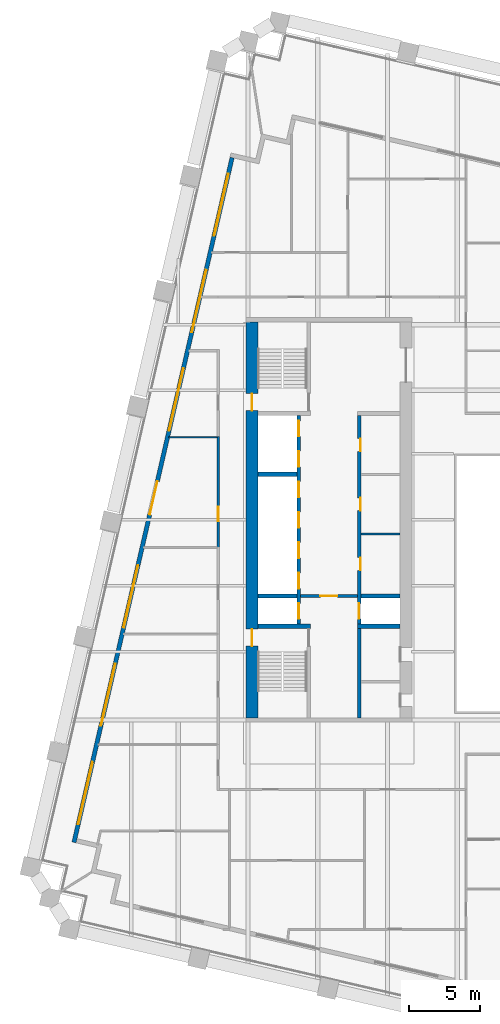
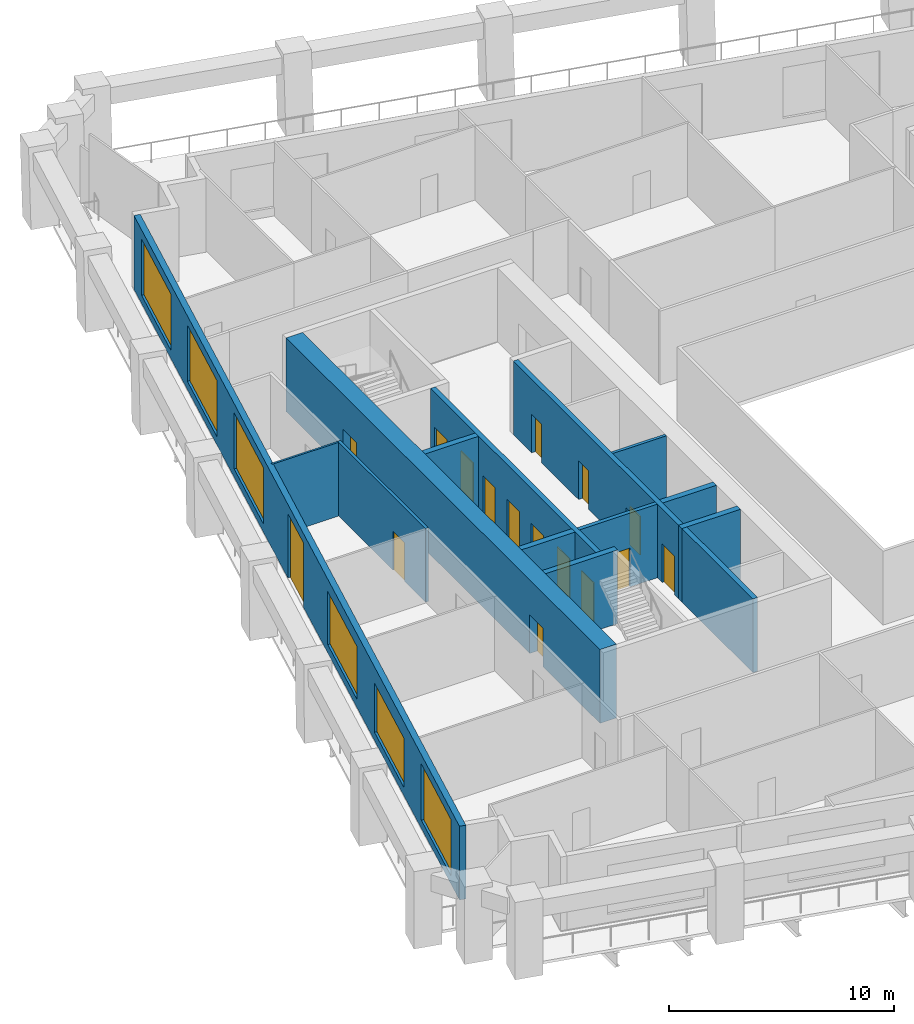
# One storey, part 6 of 12: 16 doors, 13 walls, 6 windows, 22 openings.
"""IFC4 building model written with IfcOpenShell, lengths in metres."""

import ifcopenshell
import ifcopenshell.guid

model = None  # the IFC model being written
_history = None  # IfcOwnerHistory: only IFC2X3 demands one
_inside = {}  # id of a spatial element -> (the spatial element, [elements in it])
_under = {}  # id of a project, library or spatial element -> (it, [spatial elements below it])
_declared = {}  # id of a project -> (the project, [libraries it declares])
_typed = {}  # id of a type object -> (the type object, [elements of that type])
_made_of = {}  # id of a material, layer set ... -> (it, [elements and type objects made of it])


def new_model(schema):
    """Start an empty IFC model of exactly this schema.

    Asked for "IFC4X3", IfcOpenShell would pick the latest addendum, in which some entities
    have other attributes; the version numbers below select the first issue.
    IFC2X3 requires an IfcOwnerHistory on every rooted entity: one is made here for all.
    """
    global model, _history
    if schema == "IFC4X3":
        model = ifcopenshell.file(schema_version=(4, 3, 0, 0))
    else:
        model = ifcopenshell.file(schema=schema)
    _inside.clear()
    _under.clear()
    _declared.clear()
    _typed.clear()
    _made_of.clear()
    _history = None
    if model.schema == "IFC2X3":
        org = make("IfcOrganization", Name="unknown")
        user = make(
            "IfcPersonAndOrganization",
            ThePerson=make("IfcPerson", FamilyName="unknown"),
            TheOrganization=org,
        )
        app = make(
            "IfcApplication",
            ApplicationDeveloper=org,
            Version="unknown",
            ApplicationFullName="unknown",
            ApplicationIdentifier="unknown",
        )
        _history = make(
            "IfcOwnerHistory",
            OwningUser=user,
            OwningApplication=app,
            ChangeAction="ADDED",
            CreationDate=0,
        )
    return model


def make(cls, **values):
    """One entity of the class cls with the attributes given. An attribute that is None is left unset."""
    return model.create_entity(
        cls, **{name: value for name, value in values.items() if value is not None}
    )


def rooted(cls, **values):
    """An entity with a GlobalId (a new one), such as an element, a storey or a relation."""
    return make(cls, GlobalId=ifcopenshell.guid.new(), OwnerHistory=_history, **values)


def si_unit(unit_type, name, prefix=None):
    """IfcSIUnit, for example si_unit("LENGTHUNIT", "METRE", prefix="MILLI")."""
    return make("IfcSIUnit", UnitType=unit_type, Prefix=prefix, Name=name)


def assignment(units):
    """IfcUnitAssignment: the units of a project."""
    return None if units is None else make("IfcUnitAssignment", Units=units)


def point(xyz):
    """IfcCartesianPoint."""
    return None if xyz is None else make("IfcCartesianPoint", Coordinates=xyz)


def direction(xyz):
    """IfcDirection."""
    return None if xyz is None else make("IfcDirection", DirectionRatios=xyz)


def frame(location, z_axis=None, x_axis=None):
    """IfcAxis2Placement3D, a coordinate frame: its origin and axes. An axis left out is left unset."""
    return make(
        "IfcAxis2Placement3D",
        Location=point(location),
        Axis=direction(z_axis),
        RefDirection=direction(x_axis),
    )


def frame_2d(location, x_axis=None):
    """IfcAxis2Placement2D, a coordinate frame in the plane: its origin and x axis."""
    return make(
        "IfcAxis2Placement2D", Location=point(location), RefDirection=direction(x_axis)
    )


def origin():
    """The frame at (0, 0, 0) with its axes left unset."""
    return frame((0.0, 0.0, 0.0))


def place(relative_to, where):
    """IfcLocalPlacement: puts the frame where relative to a parent placement (None: the world)."""
    return make(
        "IfcLocalPlacement", PlacementRelTo=relative_to, RelativePlacement=where
    )


def context(
    kind, dimensions, precision=None, world=None, true_north=None, identifier=None
):
    """IfcGeometricRepresentationContext, for example the 3D "Model" context."""
    return make(
        "IfcGeometricRepresentationContext",
        ContextIdentifier=identifier,
        ContextType=kind,
        CoordinateSpaceDimension=dimensions,
        Precision=precision,
        WorldCoordinateSystem=world,
        TrueNorth=true_north,
    )


def subcontext(parent, identifier, kind, view, scale=None):
    """IfcGeometricRepresentationSubContext, for example "Body" below "Model"."""
    return make(
        "IfcGeometricRepresentationSubContext",
        ContextIdentifier=identifier,
        ContextType=kind,
        ParentContext=parent,
        TargetScale=scale,
        TargetView=view,
    )


def project(units=None, contexts=None):
    """IfcProject with its units and contexts."""
    return rooted(
        "IfcProject",
        Name="project",
        RepresentationContexts=contexts,
        UnitsInContext=assignment(units),
    )


def spatial(cls, under=None, at=None, **own):
    """A site, building, storey or space (cls), placed at a placement, below another one or the project."""
    s = rooted(cls, ObjectPlacement=at, **own)
    if under is not None:
        _under.setdefault(under.id(), (under, []))[1].append(s)
    return s


def profile(cls, at=None, kind="AREA", **sizes):
    """A parametric profile (cls). Its sizes go by their IFC names, for example OverallWidth=200.0."""
    return make(cls, ProfileType=kind, Position=at, **sizes)


def rectangle(**sizes):
    """IfcRectangleProfileDef."""
    return profile("IfcRectangleProfileDef", **sizes)


def extrude(swept, where, along, depth):
    """IfcExtrudedAreaSolid: the profile swept, set in the frame where, extruded along a direction by depth."""
    return make(
        "IfcExtrudedAreaSolid",
        SweptArea=swept,
        Position=where,
        ExtrudedDirection=direction(along),
        Depth=depth,
    )


def shape(context_of_items, identifier, shape_type, items):
    """IfcShapeRepresentation: the items that make up one representation, for example the "Body"."""
    return make(
        "IfcShapeRepresentation",
        ContextOfItems=context_of_items,
        RepresentationIdentifier=identifier,
        RepresentationType=shape_type,
        Items=items,
    )


def material(Name=None, Category=None):
    """IfcMaterial."""
    return make("IfcMaterial", Name=Name, Category=Category)


def layer(
    of_material, thickness, ventilated=None, Name=None, Category=None, Priority=None
):
    """IfcMaterialLayer: one layer of a wall or slab, of a material (None: an air gap)."""
    return make(
        "IfcMaterialLayer",
        Material=of_material,
        LayerThickness=thickness,
        IsVentilated=ventilated,
        Name=Name,
        Category=Category,
        Priority=Priority,
    )


def layer_set(layers, Name=None):
    """IfcMaterialLayerSet."""
    return make("IfcMaterialLayerSet", MaterialLayers=layers, LayerSetName=Name)


def made_of(thing, what):
    """Note that an element or type object is made of a material, layer set ...; save() writes the relation."""
    if what is not None:
        _made_of.setdefault(what.id(), (what, []))[1].append(thing)
    return thing


def type_object(cls, material=None, **own):
    """A type object (cls), such as IfcWallType, which elements share."""
    return made_of(rooted(cls, **own), material)


def element(
    cls,
    number,
    at=None,
    inside=None,
    cuts=None,
    type_object=None,
    material=None,
    context=None,
    identifier="Body",
    shape_type=None,
    held_by="IfcProductDefinitionShape",
    body=None,
    shapes=None,
    **own,
):
    """One element of the class cls, such as IfcWall. Its Tag is "e" and its number.

    at: its placement. inside: the storey or other place that contains it. cuts: it is an
    opening in that element (IfcRelVoidsElement). A single representation is given by context,
    identifier, shape_type and body (its items); several are given by shapes. held_by: the class
    of the entity that holds the representations. save() writes the other relations.
    """
    e = rooted(cls, Tag="e%d" % number, ObjectPlacement=at, **own)
    if body is not None:
        shapes = [shape(context, identifier, shape_type, body)]
    if shapes is not None:
        e.Representation = make(held_by, Representations=shapes)
    if inside is not None:
        _inside.setdefault(inside.id(), (inside, []))[1].append(e)
    if cuts is not None:
        rooted(
            "IfcRelVoidsElement", RelatingBuildingElement=cuts, RelatedOpeningElement=e
        )
    if type_object is not None:
        _typed.setdefault(type_object.id(), (type_object, []))[1].append(e)
    return made_of(e, material)


def fill(opening, filler):
    """IfcRelFillsElement: the door or window that sits in an opening."""
    return rooted(
        "IfcRelFillsElement",
        RelatingOpeningElement=opening,
        RelatedBuildingElement=filler,
    )


def aggregate(whole, parts):
    """IfcRelAggregates: a whole, such as a stair, and the parts it consists of."""
    return rooted("IfcRelAggregates", RelatingObject=whole, RelatedObjects=parts)


def save(model, path):
    """Write the relations noted so far, then the file.

    IfcRelAggregates (storeys below a building ...), IfcRelContainedInSpatialStructure (elements
    in a storey), IfcRelDefinesByType, IfcRelAssociatesMaterial and IfcRelDeclares: one each for
    every whole, place, type object, material and project.
    """
    for whole, parts in _under.values():
        aggregate(whole, parts)
    for where, things in _inside.values():
        rooted(
            "IfcRelContainedInSpatialStructure",
            RelatedElements=things,
            RelatingStructure=where,
        )
    for kind, things in _typed.values():
        rooted("IfcRelDefinesByType", RelatedObjects=things, RelatingType=kind)
    for what, things in _made_of.values():
        rooted("IfcRelAssociatesMaterial", RelatedObjects=things, RelatingMaterial=what)
    for by, libraries in _declared.values():
        rooted("IfcRelDeclares", RelatingContext=by, RelatedDefinitions=libraries)
    model.write(path)


model = new_model("IFC4")

# Units and contexts
model_context = context("Model", 3, precision=1e-05, world=origin(), true_north=direction((0.0, 1.0)))
body_context = subcontext(model_context, "Body", "Model", "MODEL_VIEW")
ifc_project = project(units=[si_unit("LENGTHUNIT", "METRE"), si_unit("AREAUNIT", "SQUARE_METRE"), si_unit("VOLUMEUNIT", "CUBIC_METRE"), si_unit("PLANEANGLEUNIT", "RADIAN"), si_unit("MASSUNIT", "GRAM", prefix="KILO")], contexts=[model_context])

# Site, building, storey
site_placement = place(None, origin())
site = spatial("IfcSite", under=ifc_project, at=site_placement, CompositionType="ELEMENT")
building_placement = place(site_placement, origin())
building = spatial("IfcBuilding", under=site, at=building_placement, Name="Ogive Exchange Tower", CompositionType="ELEMENT")
storey_placement = place(building_placement, frame((0.0, 0.0, 139.199951171875)))
storey = spatial("IfcBuildingStorey", under=building, at=storey_placement, Name="L30", CompositionType="ELEMENT", Elevation=139.199951171875)

# Wall
ifc_material_1 = material(Name="Gypsum board partition")
ifc_layer_1 = layer(ifc_material_1, 0.14990234375)
ifc_layer_set_1 = layer_set([ifc_layer_1], Name="Core room partition 150 gypsum")
wall_type_1 = type_object("IfcWallType", Name="Core room partition 150 gypsum", PredefinedType="PARTITIONING", material=ifc_layer_set_1)
wall_1_placement = place(storey_placement, frame((-13.75, 10.5, 0.0), z_axis=(0.0, 0.0, 1.0), x_axis=(1.0, 0.0, 0.0)))
element("IfcWall", 1, at=wall_1_placement, inside=storey, type_object=wall_type_1, Name="W row B bay partition 1-1", PredefinedType="PARTITIONING", context=body_context, shape_type="SweptSolid", body=[
    extrude(rectangle(XDim=2.75, YDim=0.14990234375, at=frame_2d((1.375, 0.0))), origin(), (0.0, 0.0, 1.0), 4.0),
])

# Wall, opening, door
ifc_material_2 = material(Name="Fire partition EI 60 150")
ifc_layer_2 = layer(ifc_material_2, 0.14990234375)
ifc_layer_set_2 = layer_set([ifc_layer_2], Name="Fire partition EI 60 150")
wall_type_2 = type_object("IfcWallType", Name="Fire partition EI 60 150", PredefinedType="PARTITIONING", material=ifc_layer_set_2)
wall_2_placement = place(storey_placement, frame((-23.800048828125, 9.550048828125, 0.0), z_axis=(0.0, 0.0, 1.0), x_axis=(0.0, 1.0, 0.0)))
wall_2 = element("IfcWall", 2, at=wall_2_placement, inside=storey, type_object=wall_type_2, Name="L30-PWL-009", PredefinedType="PARTITIONING", context=body_context, shape_type="SweptSolid", body=[
    extrude(rectangle(XDim=7.820068359375, YDim=0.14990234375, at=frame_2d((3.91015625, 0.0))), origin(), (0.0, 0.0, 1.0), 4.0),
])
opening_1_placement = place(wall_2_placement, frame((1.8701171875, 0.0, 0.0)))
opening_1 = element("IfcOpeningElement", 3, at=opening_1_placement, cuts=wall_2, Name="Opening L30-I24", PredefinedType="OPENING", context=body_context, shape_type="SweptSolid", body=[
    extrude(rectangle(XDim=1.0, YDim=2.10009765625, at=frame_2d((0.5, 1.050048828125))), frame((0.0, 0.0849609375, 0.0), z_axis=(0.0, -1.0, 0.0), x_axis=(1.0, 0.0, 0.0)), (0.0, 0.0, 1.0), 0.169921875),
])
ifc_material_3 = material(Name="Fire door FD 30S 1000 x 2100")
door_type_1 = type_object("IfcDoorType", Name="Fire door FD 30S 1000 x 2100", OperationType="NOTDEFINED", PredefinedType="DOOR", material=ifc_material_3)
door_1_placement = place(opening_1_placement, origin())
door_1 = element("IfcDoor", 4, at=door_1_placement, inside=storey, type_object=door_type_1, Name="L30-IDR-024", ObjectType="DT3", OperationType="SINGLE_SWING_RIGHT", OverallHeight=2.10009765625, OverallWidth=1.0, PredefinedType="DOOR", context=body_context, shape_type="SweptSolid", body=[
    extrude(rectangle(XDim=1.0, YDim=2.10009765625, at=frame_2d((0.5, 1.050048828125))), frame((0.0, 0.02490234375, 0.0), z_axis=(0.0, -1.0, 0.0), x_axis=(1.0, 0.0, 0.0)), (0.0, 0.0, 1.0), 0.050048828125),
])
fill(opening_1, door_1)

# Wall, openings, door, windows
ifc_material_4 = material(Name="Precast concrete C40/50", Category="concrete")
ifc_layer_3 = layer(ifc_material_4, 0.300048828125)
ifc_layer_set_3 = layer_set([ifc_layer_3], Name="Limestone-faced wall 300")
wall_type_3 = type_object("IfcWallType", Name="Limestone-faced wall 300", PredefinedType="STANDARD", material=ifc_layer_set_3)
wall_3_placement = place(storey_placement, frame((-22.8203125, 37.015625, 0.0), z_axis=(0.0, 0.0, 1.0), x_axis=(-0.224953880882, -0.974369412223, 0.0)))
wall_3 = element("IfcWall", 5, at=wall_3_placement, inside=storey, type_object=wall_type_3, Name="External wall W4", PredefinedType="STANDARD", context=body_context, shape_type="SweptSolid", body=[
    extrude(rectangle(XDim=49.500244140625, YDim=0.300048828125, at=frame_2d((24.75, 0.0))), origin(), (0.0, 0.0, 1.0), 4.0),
])
opening_2_placement = place(wall_3_placement, frame((1.156982421875, 0.0, 0.449951171875)))
opening_2 = element("IfcOpeningElement", 6, at=opening_2_placement, cuts=wall_3, Name="Opening W1", PredefinedType="OPENING", context=body_context, shape_type="SweptSolid", body=[
    extrude(rectangle(XDim=4.5, YDim=3.050048828125, at=frame_2d((2.25, 1.52490234375))), frame((0.0, 0.159912109375, 0.0), z_axis=(0.0, -1.0, 0.0), x_axis=(1.0, 0.0, 0.0)), (0.0, 0.0, 1.0), 0.320068359375),
])
opening_3_placement = place(wall_3_placement, frame((8.121337890625, 0.0, 0.449951171875)))
opening_3 = element("IfcOpeningElement", 7, at=opening_3_placement, cuts=wall_3, Name="Opening W1", PredefinedType="OPENING", context=body_context, shape_type="SweptSolid", body=[
    extrude(rectangle(XDim=4.5, YDim=3.050048828125, at=frame_2d((2.25, 1.52490234375))), frame((0.0, 0.159912109375, 0.0), z_axis=(0.0, -1.0, 0.0), x_axis=(1.0, 0.0, 0.0)), (0.0, 0.0, 1.0), 0.320068359375),
])
opening_4_placement = place(wall_3_placement, frame((15.235595703125, 0.0, 0.449951171875)))
opening_4 = element("IfcOpeningElement", 8, at=opening_4_placement, cuts=wall_3, Name="Opening W1", PredefinedType="OPENING", context=body_context, shape_type="SweptSolid", body=[
    extrude(rectangle(XDim=4.5, YDim=3.050048828125, at=frame_2d((2.25, 1.52490234375))), frame((0.0, 0.159912109375, 0.0), z_axis=(0.0, -1.0, 0.0), x_axis=(1.0, 0.0, 0.0)), (0.0, 0.0, 1.0), 0.320068359375),
])
opening_5_placement = place(wall_3_placement, frame((23.39990234375, 0.0, 0.0)))
opening_5 = element("IfcOpeningElement", 9, at=opening_5_placement, cuts=wall_3, Name="Opening D1", PredefinedType="OPENING", context=body_context, shape_type="SweptSolid", body=[
    extrude(rectangle(XDim=2.39990234375, YDim=3.5, at=frame_2d((1.199951171875, 1.75))), frame((0.0, 0.159912109375, 0.0), z_axis=(0.0, -1.0, 0.0), x_axis=(1.0, 0.0, 0.0)), (0.0, 0.0, 1.0), 0.320068359375),
])
opening_6_placement = place(wall_3_placement, frame((29.464111328125, 0.0, 0.449951171875)))
opening_6 = element("IfcOpeningElement", 10, at=opening_6_placement, cuts=wall_3, Name="Opening W1D", PredefinedType="OPENING", context=body_context, shape_type="SweptSolid", body=[
    extrude(rectangle(XDim=4.5, YDim=2.875, at=frame_2d((2.25, 1.4375))), frame((0.0, 0.159912109375, 0.0), z_axis=(0.0, -1.0, 0.0), x_axis=(1.0, 0.0, 0.0)), (0.0, 0.0, 1.0), 0.320068359375),
])
opening_7_placement = place(wall_3_placement, frame((36.57861328125, 0.0, 0.449951171875)))
opening_7 = element("IfcOpeningElement", 11, at=opening_7_placement, cuts=wall_3, Name="Opening W1J", PredefinedType="OPENING", context=body_context, shape_type="SweptSolid", body=[
    extrude(rectangle(XDim=4.5, YDim=2.675048828125, at=frame_2d((2.25, 1.33740234375))), frame((0.0, 0.159912109375, 0.0), z_axis=(0.0, -1.0, 0.0), x_axis=(1.0, 0.0, 0.0)), (0.0, 0.0, 1.0), 0.320068359375),
])
opening_8_placement = place(wall_3_placement, frame((43.69287109375, 0.0, 0.449951171875)))
opening_8 = element("IfcOpeningElement", 12, at=opening_8_placement, cuts=wall_3, Name="Opening W1", PredefinedType="OPENING", context=body_context, shape_type="SweptSolid", body=[
    extrude(rectangle(XDim=4.5, YDim=3.050048828125, at=frame_2d((2.25, 1.52490234375))), frame((0.0, 0.159912109375, 0.0), z_axis=(0.0, -1.0, 0.0), x_axis=(1.0, 0.0, 0.0)), (0.0, 0.0, 1.0), 0.320068359375),
])
ifc_material_5 = material(Name="Clear glass in bronze frame", Category="glass")
door_type_2 = type_object("IfcDoorType", Name="Sliding loggia door 2400 x 3500", OperationType="DOUBLE_DOOR_SLIDING", PredefinedType="DOOR", material=ifc_material_5)
door_2_placement = place(opening_5_placement, origin())
door_2 = element("IfcDoor", 13, at=door_2_placement, inside=storey, type_object=door_type_2, Name="Loggia door W03", OperationType="DOUBLE_DOOR_SLIDING", OverallHeight=3.5, OverallWidth=2.39990234375, PredefinedType="DOOR", context=body_context, shape_type="SweptSolid", body=[
    extrude(rectangle(XDim=2.39990234375, YDim=3.5, at=frame_2d((1.199951171875, 1.75))), frame((0.0, 0.02490234375, 0.0), z_axis=(0.0, -1.0, 0.0), x_axis=(1.0, 0.0, 0.0)), (0.0, 0.0, 1.0), 0.050048828125),
])
fill(opening_5, door_2)
window_type_1 = type_object("IfcWindowType", Name="Twin lancet window 4500 x 2675", PartitioningType="DOUBLE_PANEL_VERTICAL", PredefinedType="WINDOW", material=ifc_material_5)
window_1_placement = place(opening_7_placement, origin())
window_1 = element("IfcWindow", 14, at=window_1_placement, inside=storey, type_object=window_type_1, Name="Window W05", OverallHeight=2.675048828125, OverallWidth=4.5, PartitioningType="DOUBLE_PANEL_VERTICAL", PredefinedType="WINDOW", context=body_context, shape_type="SweptSolid", body=[
    extrude(rectangle(XDim=4.5, YDim=2.675048828125, at=frame_2d((2.25, 1.33740234375))), frame((0.0, 0.030029296875, 0.0), z_axis=(0.0, -1.0, 0.0), x_axis=(1.0, 0.0, 0.0)), (0.0, 0.0, 1.0), 0.06005859375),
])
fill(opening_7, window_1)
window_type_2 = type_object("IfcWindowType", Name="Twin lancet window 4500 x 2875", PartitioningType="DOUBLE_PANEL_VERTICAL", PredefinedType="WINDOW", material=ifc_material_5)
window_2_placement = place(opening_6_placement, origin())
window_2 = element("IfcWindow", 15, at=window_2_placement, inside=storey, type_object=window_type_2, Name="Window W04", OverallHeight=2.875, OverallWidth=4.5, PartitioningType="DOUBLE_PANEL_VERTICAL", PredefinedType="WINDOW", context=body_context, shape_type="SweptSolid", body=[
    extrude(rectangle(XDim=4.5, YDim=2.875, at=frame_2d((2.25, 1.4375))), frame((0.0, 0.030029296875, 0.0), z_axis=(0.0, -1.0, 0.0), x_axis=(1.0, 0.0, 0.0)), (0.0, 0.0, 1.0), 0.06005859375),
])
fill(opening_6, window_2)
window_type_3 = type_object("IfcWindowType", Name="Twin lancet window 4500 x 3050", PartitioningType="DOUBLE_PANEL_VERTICAL", PredefinedType="WINDOW", material=ifc_material_5)
window_3_placement = place(opening_2_placement, origin())
window_3 = element("IfcWindow", 16, at=window_3_placement, inside=storey, type_object=window_type_3, Name="Window W00", OverallHeight=3.050048828125, OverallWidth=4.5, PartitioningType="DOUBLE_PANEL_VERTICAL", PredefinedType="WINDOW", context=body_context, shape_type="SweptSolid", body=[
    extrude(rectangle(XDim=4.5, YDim=3.050048828125, at=frame_2d((2.25, 1.52490234375))), frame((0.0, 0.030029296875, 0.0), z_axis=(0.0, -1.0, 0.0), x_axis=(1.0, 0.0, 0.0)), (0.0, 0.0, 1.0), 0.06005859375),
])
fill(opening_2, window_3)
window_4_placement = place(opening_3_placement, origin())
window_4 = element("IfcWindow", 17, at=window_4_placement, inside=storey, type_object=window_type_3, Name="Window W01", OverallHeight=3.050048828125, OverallWidth=4.5, PartitioningType="DOUBLE_PANEL_VERTICAL", PredefinedType="WINDOW", context=body_context, shape_type="SweptSolid", body=[
    extrude(rectangle(XDim=4.5, YDim=3.050048828125, at=frame_2d((2.25, 1.52490234375))), frame((0.0, 0.030029296875, 0.0), z_axis=(0.0, -1.0, 0.0), x_axis=(1.0, 0.0, 0.0)), (0.0, 0.0, 1.0), 0.06005859375),
])
fill(opening_3, window_4)
window_5_placement = place(opening_4_placement, origin())
window_5 = element("IfcWindow", 18, at=window_5_placement, inside=storey, type_object=window_type_3, Name="Window W02", OverallHeight=3.050048828125, OverallWidth=4.5, PartitioningType="DOUBLE_PANEL_VERTICAL", PredefinedType="WINDOW", context=body_context, shape_type="SweptSolid", body=[
    extrude(rectangle(XDim=4.5, YDim=3.050048828125, at=frame_2d((2.25, 1.52490234375))), frame((0.0, 0.030029296875, 0.0), z_axis=(0.0, -1.0, 0.0), x_axis=(1.0, 0.0, 0.0)), (0.0, 0.0, 1.0), 0.06005859375),
])
fill(opening_4, window_5)
window_6_placement = place(opening_8_placement, origin())
window_6 = element("IfcWindow", 19, at=window_6_placement, inside=storey, type_object=window_type_3, Name="Window W06", OverallHeight=3.050048828125, OverallWidth=4.5, PartitioningType="DOUBLE_PANEL_VERTICAL", PredefinedType="WINDOW", context=body_context, shape_type="SweptSolid", body=[
    extrude(rectangle(XDim=4.5, YDim=3.050048828125, at=frame_2d((2.25, 1.52490234375))), frame((0.0, 0.030029296875, 0.0), z_axis=(0.0, -1.0, 0.0), x_axis=(1.0, 0.0, 0.0)), (0.0, 0.0, 1.0), 0.06005859375),
])
fill(opening_8, window_6)

# Wall
ifc_material_6 = material(Name="Partition 100 gypsum")
ifc_layer_4 = layer(ifc_material_6, 0.10009765625)
ifc_layer_set_4 = layer_set([ifc_layer_4], Name="Partition 100 gypsum")
wall_type_4 = type_object("IfcWallType", Name="Partition 100 gypsum", PredefinedType="PARTITIONING", material=ifc_layer_set_4)
wall_4_placement = place(storey_placement, frame((-23.875, 17.320068359375, 0.0), z_axis=(0.0, 0.0, 1.0), x_axis=(-1.0, 0.0, 0.0)))
element("IfcWall", 20, at=wall_4_placement, inside=storey, type_object=wall_type_4, Name="L30-PWL-010", PredefinedType="PARTITIONING", context=body_context, shape_type="SweptSolid", body=[
    extrude(rectangle(XDim=3.4208984375, YDim=0.10009765625, at=frame_2d((1.71044921875, 0.0))), origin(), (0.0, 0.0, 1.0), 4.0),
])

# Wall, opening, door
ifc_material_7 = material(Name="Concrete C70/85", Category="concrete")
ifc_layer_5 = layer(ifc_material_7, 0.199951171875)
ifc_layer_set_5 = layer_set([ifc_layer_5], Name="RC core wall 200 C70/85")
wall_type_5 = type_object("IfcWallType", Name="RC core wall 200 C70/85", PredefinedType="SHEAR", material=ifc_layer_set_5)
wall_5_placement = place(storey_placement, frame((-18.0, 6.142822265625, 0.0), z_axis=(0.0, 0.0, 1.0), x_axis=(1.0, 0.0, 0.0)))
wall_5 = element("IfcWall", 21, at=wall_5_placement, inside=storey, type_object=wall_type_5, Name="W firefighting lobby wall", PredefinedType="SHEAR", context=body_context, shape_type="SweptSolid", body=[
    extrude(rectangle(XDim=4.0, YDim=0.199951171875, at=frame_2d((2.0, 0.0))), origin(), (0.0, 0.0, 1.0), 4.0),
])
opening_9_placement = place(wall_5_placement, frame((1.39990234375, 0.0, 0.0)))
opening_9 = element("IfcOpeningElement", 22, at=opening_9_placement, cuts=wall_5, Name="Opening L30-C12", PredefinedType="OPENING", context=body_context, shape_type="SweptSolid", body=[
    extrude(rectangle(XDim=1.199951171875, YDim=2.10009765625, at=frame_2d((0.60009765625, 1.050048828125))), frame((0.0, 0.10986328125, 0.0), z_axis=(0.0, -1.0, 0.0), x_axis=(1.0, 0.0, 0.0)), (0.0, 0.0, 1.0), 0.219970703125),
])
ifc_material_8 = material(Name="Steel fire door", Category="steel")
door_type_3 = type_object("IfcDoorType", Name="Firefighting lobby door FD60 1200 x 2100", OperationType="NOTDEFINED", PredefinedType="DOOR", material=ifc_material_8)
door_3_placement = place(opening_9_placement, frame((1.199951171875, 0.0, 0.0), z_axis=(0.0, 0.0, 1.0), x_axis=(-1.0, 0.0, 0.0)))
door_3 = element("IfcDoor", 23, at=door_3_placement, inside=storey, type_object=door_type_3, Name="Firefighting lobby door", ObjectType="CD3", OperationType="SINGLE_SWING_LEFT", OverallHeight=2.10009765625, OverallWidth=1.199951171875, PredefinedType="DOOR", context=body_context, shape_type="SweptSolid", body=[
    extrude(rectangle(XDim=1.199951171875, YDim=2.10009765625, at=frame_2d((0.60009765625, 1.050048828125))), frame((0.0, 0.02490234375, 0.0), z_axis=(0.0, -1.0, 0.0), x_axis=(1.0, 0.0, 0.0)), (0.0, 0.0, 1.0), 0.050048828125),
])
fill(opening_9, door_3)

# Wall, openings, doors
ifc_layer_6 = layer(ifc_material_7, 0.25)
ifc_layer_set_6 = layer_set([ifc_layer_6], Name="RC core wall 250 C70/85")
wall_type_6 = type_object("IfcWallType", Name="RC core wall 250 C70/85", PredefinedType="SHEAR", material=ifc_layer_set_6)
wall_6_placement = place(storey_placement, frame((-18.125, 4.14990234375, 0.0), z_axis=(0.0, 0.0, 1.0), x_axis=(0.0, 1.0, 0.0)))
wall_6 = element("IfcWall", 24, at=wall_6_placement, inside=storey, type_object=wall_type_6, Name="W row A front wall", PredefinedType="SHEAR", context=body_context, shape_type="SweptSolid", body=[
    extrude(rectangle(XDim=14.7001953125, YDim=0.25, at=frame_2d((7.35009765625, 0.0))), origin(), (0.0, 0.0, 1.0), 4.0),
])
opening_10_placement = place(wall_6_placement, frame((0.371337890625, 0.0, 0.0)))
opening_10 = element("IfcOpeningElement", 25, at=opening_10_placement, cuts=wall_6, Name="Opening L30-C01", PredefinedType="OPENING", context=body_context, shape_type="SweptSolid", body=[
    extrude(rectangle(XDim=1.10009765625, YDim=2.10009765625, at=frame_2d((0.550048828125, 1.050048828125))), frame((0.0, 0.135009765625, 0.0), z_axis=(0.0, -1.0, 0.0), x_axis=(1.0, 0.0, 0.0)), (0.0, 0.0, 1.0), 0.27001953125),
])
opening_11_placement = place(wall_6_placement, frame((2.514404296875, 0.0, 0.0)))
opening_11 = element("IfcOpeningElement", 26, at=opening_11_placement, cuts=wall_6, Name="Opening L30-C02", PredefinedType="OPENING", context=body_context, shape_type="SweptSolid", body=[
    extrude(rectangle(XDim=1.10009765625, YDim=2.10009765625, at=frame_2d((0.550048828125, 1.050048828125))), frame((0.0, 0.135009765625, 0.0), z_axis=(0.0, -1.0, 0.0), x_axis=(1.0, 0.0, 0.0)), (0.0, 0.0, 1.0), 0.27001953125),
])
opening_12_placement = place(wall_6_placement, frame((4.656982421875, 0.0, 0.0)))
opening_12 = element("IfcOpeningElement", 27, at=opening_12_placement, cuts=wall_6, Name="Opening L30-C03", PredefinedType="OPENING", context=body_context, shape_type="SweptSolid", body=[
    extrude(rectangle(XDim=1.10009765625, YDim=2.10009765625, at=frame_2d((0.550048828125, 1.050048828125))), frame((0.0, 0.135009765625, 0.0), z_axis=(0.0, -1.0, 0.0), x_axis=(1.0, 0.0, 0.0)), (0.0, 0.0, 1.0), 0.27001953125),
])
opening_13_placement = place(wall_6_placement, frame((6.800048828125, 0.0, 0.0)))
opening_13 = element("IfcOpeningElement", 28, at=opening_13_placement, cuts=wall_6, Name="Opening L30-C04", PredefinedType="OPENING", context=body_context, shape_type="SweptSolid", body=[
    extrude(rectangle(XDim=1.10009765625, YDim=2.10009765625, at=frame_2d((0.550048828125, 1.050048828125))), frame((0.0, 0.135009765625, 0.0), z_axis=(0.0, -1.0, 0.0), x_axis=(1.0, 0.0, 0.0)), (0.0, 0.0, 1.0), 0.27001953125),
])
opening_14_placement = place(wall_6_placement, frame((8.94287109375, 0.0, 0.0)))
opening_14 = element("IfcOpeningElement", 29, at=opening_14_placement, cuts=wall_6, Name="Opening L30-C05", PredefinedType="OPENING", context=body_context, shape_type="SweptSolid", body=[
    extrude(rectangle(XDim=1.10009765625, YDim=2.10009765625, at=frame_2d((0.550048828125, 1.050048828125))), frame((0.0, 0.135009765625, 0.0), z_axis=(0.0, -1.0, 0.0), x_axis=(1.0, 0.0, 0.0)), (0.0, 0.0, 1.0), 0.27001953125),
])
opening_15_placement = place(wall_6_placement, frame((11.085693359375, 0.0, 0.0)))
opening_15 = element("IfcOpeningElement", 30, at=opening_15_placement, cuts=wall_6, Name="Opening L30-C06", PredefinedType="OPENING", context=body_context, shape_type="SweptSolid", body=[
    extrude(rectangle(XDim=1.10009765625, YDim=2.10009765625, at=frame_2d((0.550048828125, 1.050048828125))), frame((0.0, 0.135009765625, 0.0), z_axis=(0.0, -1.0, 0.0), x_axis=(1.0, 0.0, 0.0)), (0.0, 0.0, 1.0), 0.27001953125),
])
opening_16_placement = place(wall_6_placement, frame((13.228515625, 0.0, 0.0)))
opening_16 = element("IfcOpeningElement", 31, at=opening_16_placement, cuts=wall_6, Name="Opening L30-C07", PredefinedType="OPENING", context=body_context, shape_type="SweptSolid", body=[
    extrude(rectangle(XDim=1.10009765625, YDim=2.10009765625, at=frame_2d((0.550048828125, 1.050048828125))), frame((0.0, 0.135009765625, 0.0), z_axis=(0.0, -1.0, 0.0), x_axis=(1.0, 0.0, 0.0)), (0.0, 0.0, 1.0), 0.27001953125),
])
ifc_material_9 = material(Name="Stainless steel", Category="steel")
door_type_4 = type_object("IfcDoorType", Name="Lift landing door FD90 1100 x 2100", OperationType="SLIDING_TO_LEFT", PredefinedType="DOOR", material=ifc_material_9)
door_4_placement = place(opening_10_placement, origin())
door_4 = element("IfcDoor", 32, at=door_4_placement, inside=storey, type_object=door_type_4, Name="Lift landing door FF1", ObjectType="LD", OperationType="SLIDING_TO_LEFT", OverallHeight=2.10009765625, OverallWidth=1.10009765625, PredefinedType="DOOR", context=body_context, shape_type="SweptSolid", body=[
    extrude(rectangle(XDim=1.10009765625, YDim=2.10009765625, at=frame_2d((0.550048828125, 1.050048828125))), frame((0.0, 0.02490234375, 0.0), z_axis=(0.0, -1.0, 0.0), x_axis=(1.0, 0.0, 0.0)), (0.0, 0.0, 1.0), 0.050048828125),
])
fill(opening_10, door_4)
door_5_placement = place(opening_11_placement, origin())
door_5 = element("IfcDoor", 33, at=door_5_placement, inside=storey, type_object=door_type_4, Name="Lift landing door W-L1", ObjectType="LD", OperationType="SLIDING_TO_LEFT", OverallHeight=2.10009765625, OverallWidth=1.10009765625, PredefinedType="DOOR", context=body_context, shape_type="SweptSolid", body=[
    extrude(rectangle(XDim=1.10009765625, YDim=2.10009765625, at=frame_2d((0.550048828125, 1.050048828125))), frame((0.0, 0.02490234375, 0.0), z_axis=(0.0, -1.0, 0.0), x_axis=(1.0, 0.0, 0.0)), (0.0, 0.0, 1.0), 0.050048828125),
])
fill(opening_11, door_5)
door_6_placement = place(opening_12_placement, origin())
door_6 = element("IfcDoor", 34, at=door_6_placement, inside=storey, type_object=door_type_4, Name="Lift landing door W-L2", ObjectType="LD", OperationType="SLIDING_TO_LEFT", OverallHeight=2.10009765625, OverallWidth=1.10009765625, PredefinedType="DOOR", context=body_context, shape_type="SweptSolid", body=[
    extrude(rectangle(XDim=1.10009765625, YDim=2.10009765625, at=frame_2d((0.550048828125, 1.050048828125))), frame((0.0, 0.02490234375, 0.0), z_axis=(0.0, -1.0, 0.0), x_axis=(1.0, 0.0, 0.0)), (0.0, 0.0, 1.0), 0.050048828125),
])
fill(opening_12, door_6)
door_7_placement = place(opening_13_placement, origin())
door_7 = element("IfcDoor", 35, at=door_7_placement, inside=storey, type_object=door_type_4, Name="Lift landing door W-L3", ObjectType="LD", OperationType="SLIDING_TO_LEFT", OverallHeight=2.10009765625, OverallWidth=1.10009765625, PredefinedType="DOOR", context=body_context, shape_type="SweptSolid", body=[
    extrude(rectangle(XDim=1.10009765625, YDim=2.10009765625, at=frame_2d((0.550048828125, 1.050048828125))), frame((0.0, 0.02490234375, 0.0), z_axis=(0.0, -1.0, 0.0), x_axis=(1.0, 0.0, 0.0)), (0.0, 0.0, 1.0), 0.050048828125),
])
fill(opening_13, door_7)
door_8_placement = place(opening_14_placement, origin())
door_8 = element("IfcDoor", 36, at=door_8_placement, inside=storey, type_object=door_type_4, Name="Lift landing door W-L4", ObjectType="LD", OperationType="SLIDING_TO_LEFT", OverallHeight=2.10009765625, OverallWidth=1.10009765625, PredefinedType="DOOR", context=body_context, shape_type="SweptSolid", body=[
    extrude(rectangle(XDim=1.10009765625, YDim=2.10009765625, at=frame_2d((0.550048828125, 1.050048828125))), frame((0.0, 0.02490234375, 0.0), z_axis=(0.0, -1.0, 0.0), x_axis=(1.0, 0.0, 0.0)), (0.0, 0.0, 1.0), 0.050048828125),
])
fill(opening_14, door_8)
door_9_placement = place(opening_15_placement, origin())
door_9 = element("IfcDoor", 37, at=door_9_placement, inside=storey, type_object=door_type_4, Name="Lift landing door W-SH1", ObjectType="LD", OperationType="SLIDING_TO_LEFT", OverallHeight=2.10009765625, OverallWidth=1.10009765625, PredefinedType="DOOR", context=body_context, shape_type="SweptSolid", body=[
    extrude(rectangle(XDim=1.10009765625, YDim=2.10009765625, at=frame_2d((0.550048828125, 1.050048828125))), frame((0.0, 0.02490234375, 0.0), z_axis=(0.0, -1.0, 0.0), x_axis=(1.0, 0.0, 0.0)), (0.0, 0.0, 1.0), 0.050048828125),
])
fill(opening_15, door_9)
door_10_placement = place(opening_16_placement, origin())
door_10 = element("IfcDoor", 38, at=door_10_placement, inside=storey, type_object=door_type_4, Name="Lift landing door W-SH2", ObjectType="LD", OperationType="SLIDING_TO_LEFT", OverallHeight=2.10009765625, OverallWidth=1.10009765625, PredefinedType="DOOR", context=body_context, shape_type="SweptSolid", body=[
    extrude(rectangle(XDim=1.10009765625, YDim=2.10009765625, at=frame_2d((0.550048828125, 1.050048828125))), frame((0.0, 0.02490234375, 0.0), z_axis=(0.0, -1.0, 0.0), x_axis=(1.0, 0.0, 0.0)), (0.0, 0.0, 1.0), 0.050048828125),
])
fill(opening_16, door_10)

wall_7_placement = place(storey_placement, frame((-13.875, -2.449951171875, 0.0), z_axis=(0.0, 0.0, 1.0), x_axis=(0.0, 1.0, 0.0)))
wall_7 = element("IfcWall", 39, at=wall_7_placement, inside=storey, type_object=wall_type_6, Name="W row B front wall", PredefinedType="SHEAR", context=body_context, shape_type="SweptSolid", body=[
    extrude(rectangle(XDim=21.300048828125, YDim=0.25, at=frame_2d((10.64990234375, 0.0))), origin(), (0.0, 0.0, 1.0), 4.0),
])
opening_17_placement = place(wall_7_placement, frame((10.396484375, 0.0, 0.0)))
opening_17 = element("IfcOpeningElement", 40, at=opening_17_placement, cuts=wall_7, Name="Opening L30-C08", PredefinedType="OPENING", context=body_context, shape_type="SweptSolid", body=[
    extrude(rectangle(XDim=0.89990234375, YDim=2.10009765625, at=frame_2d((0.449951171875, 1.050048828125))), frame((0.0, 0.135009765625, 0.0), z_axis=(0.0, -1.0, 0.0), x_axis=(1.0, 0.0, 0.0)), (0.0, 0.0, 1.0), 0.27001953125),
])
opening_18_placement = place(wall_7_placement, frame((14.60009765625, 0.0, 0.0)))
opening_18 = element("IfcOpeningElement", 41, at=opening_18_placement, cuts=wall_7, Name="Opening L30-C09", PredefinedType="OPENING", context=body_context, shape_type="SweptSolid", body=[
    extrude(rectangle(XDim=0.89990234375, YDim=2.10009765625, at=frame_2d((0.449951171875, 1.050048828125))), frame((0.0, 0.135009765625, 0.0), z_axis=(0.0, -1.0, 0.0), x_axis=(1.0, 0.0, 0.0)), (0.0, 0.0, 1.0), 0.27001953125),
])
opening_19_placement = place(wall_7_placement, frame((18.77490234375, 0.0, 0.0)))
opening_19 = element("IfcOpeningElement", 42, at=opening_19_placement, cuts=wall_7, Name="Opening L30-C10", PredefinedType="OPENING", context=body_context, shape_type="SweptSolid", body=[
    extrude(rectangle(XDim=0.89990234375, YDim=2.10009765625, at=frame_2d((0.449951171875, 1.050048828125))), frame((0.0, 0.135009765625, 0.0), z_axis=(0.0, -1.0, 0.0), x_axis=(1.0, 0.0, 0.0)), (0.0, 0.0, 1.0), 0.27001953125),
])
opening_20_placement = place(wall_7_placement, frame((6.971435546875, 0.0, 0.0)))
opening_20 = element("IfcOpeningElement", 43, at=opening_20_placement, cuts=wall_7, Name="Opening L30-C11", PredefinedType="OPENING", context=body_context, shape_type="SweptSolid", body=[
    extrude(rectangle(XDim=1.10009765625, YDim=2.10009765625, at=frame_2d((0.550048828125, 1.050048828125))), frame((0.0, 0.135009765625, 0.0), z_axis=(0.0, -1.0, 0.0), x_axis=(1.0, 0.0, 0.0)), (0.0, 0.0, 1.0), 0.27001953125),
])
door_11_placement = place(opening_20_placement, origin())
door_11 = element("IfcDoor", 44, at=door_11_placement, inside=storey, type_object=door_type_4, Name="Lift landing door SV1", ObjectType="LD", OperationType="SLIDING_TO_LEFT", OverallHeight=2.10009765625, OverallWidth=1.10009765625, PredefinedType="DOOR", context=body_context, shape_type="SweptSolid", body=[
    extrude(rectangle(XDim=1.10009765625, YDim=2.10009765625, at=frame_2d((0.550048828125, 1.050048828125))), frame((0.0, 0.02490234375, 0.0), z_axis=(0.0, -1.0, 0.0), x_axis=(1.0, 0.0, 0.0)), (0.0, 0.0, 1.0), 0.050048828125),
])
fill(opening_20, door_11)
door_type_5 = type_object("IfcDoorType", Name="Riser door FD60 900 x 2100", OperationType="NOTDEFINED", PredefinedType="DOOR", material=ifc_material_8)
door_12_placement = place(opening_17_placement, frame((0.89990234375, -0.2001953125, 0.0), z_axis=(0.0, 0.0, 1.0), x_axis=(-1.0, 0.0, 0.0)))
door_12 = element("IfcDoor", 45, at=door_12_placement, inside=storey, type_object=door_type_5, Name="Riser door", ObjectType="CD2", OperationType="SINGLE_SWING_RIGHT", OverallHeight=2.10009765625, OverallWidth=0.89990234375, PredefinedType="DOOR", context=body_context, shape_type="SweptSolid", body=[
    extrude(rectangle(XDim=0.89990234375, YDim=2.10009765625, at=frame_2d((0.449951171875, 1.050048828125))), frame((0.0, -0.0751953125, 0.0), z_axis=(0.0, -1.0, 0.0), x_axis=(1.0, 0.0, 0.0)), (0.0, 0.0, 1.0), 0.050048828125),
])
fill(opening_17, door_12)
door_13_placement = place(opening_18_placement, frame((0.89990234375, -0.2001953125, 0.0), z_axis=(0.0, 0.0, 1.0), x_axis=(-1.0, 0.0, 0.0)))
door_13 = element("IfcDoor", 46, at=door_13_placement, inside=storey, type_object=door_type_5, Name="Riser door", ObjectType="CD2", OperationType="SINGLE_SWING_RIGHT", OverallHeight=2.10009765625, OverallWidth=0.89990234375, PredefinedType="DOOR", context=body_context, shape_type="SweptSolid", body=[
    extrude(rectangle(XDim=0.89990234375, YDim=2.10009765625, at=frame_2d((0.449951171875, 1.050048828125))), frame((0.0, -0.0751953125, 0.0), z_axis=(0.0, -1.0, 0.0), x_axis=(1.0, 0.0, 0.0)), (0.0, 0.0, 1.0), 0.050048828125),
])
fill(opening_18, door_13)
door_14_placement = place(opening_19_placement, frame((0.89990234375, -0.2001953125, 0.0), z_axis=(0.0, 0.0, 1.0), x_axis=(-1.0, 0.0, 0.0)))
door_14 = element("IfcDoor", 47, at=door_14_placement, inside=storey, type_object=door_type_5, Name="Riser door", ObjectType="CD2", OperationType="SINGLE_SWING_LEFT", OverallHeight=2.10009765625, OverallWidth=0.89990234375, PredefinedType="DOOR", context=body_context, shape_type="SweptSolid", body=[
    extrude(rectangle(XDim=0.89990234375, YDim=2.10009765625, at=frame_2d((0.449951171875, 1.050048828125))), frame((0.0, -0.0751953125, 0.0), z_axis=(0.0, -1.0, 0.0), x_axis=(1.0, 0.0, 0.0)), (0.0, 0.0, 1.0), 0.050048828125),
])
fill(opening_19, door_14)

# Walls
ifc_layer_7 = layer(ifc_material_7, 0.300048828125)
ifc_layer_set_7 = layer_set([ifc_layer_7], Name="RC core wall 300 C70/85")
wall_type_7 = type_object("IfcWallType", Name="RC core wall 300 C70/85", PredefinedType="SHEAR", material=ifc_layer_set_7)
wall_8_placement = place(storey_placement, frame((-21.0, 4.0, 0.0), z_axis=(0.0, 0.0, 1.0), x_axis=(1.0, 0.0, 0.0)))
element("IfcWall", 48, at=wall_8_placement, inside=storey, type_object=wall_type_7, Name="W stair S north wall", PredefinedType="SHEAR", context=body_context, shape_type="SweptSolid", body=[
    extrude(rectangle(XDim=3.699951171875, YDim=0.300048828125, at=frame_2d((1.85009765625, 0.0))), origin(), (0.0, 0.0, 1.0), 4.0),
])
for number, where, z_axis, x_axis, name in (
    (49, (-21.0, 6.142822265625, 0.0), (0.0, 0.0, 1.0), (1.0, 0.0, 0.0), "W row A divider 1"),
    (50, (-21.0, 14.71435546875, 0.0), (0.0, 0.0, 1.0), (1.0, 0.0, 0.0), "W row A divider 5"),
):
    element("IfcWall", number, at=place(storey_placement, frame(where, z_axis=z_axis, x_axis=x_axis)), inside=storey, type_object=wall_type_7, Name=name, PredefinedType="SHEAR", context=body_context, shape_type="SweptSolid", body=[
        extrude(rectangle(XDim=2.75, YDim=0.300048828125, at=frame_2d((1.375, 0.0))), origin(), (0.0, 0.0, 1.0), 4.0),
    ])
wall_9_placement = place(storey_placement, frame((-14.0, 4.0, 0.0), z_axis=(0.0, 0.0, 1.0), x_axis=(1.0, 0.0, 0.0)))
element("IfcWall", 51, at=wall_9_placement, inside=storey, type_object=wall_type_7, Name="W row B divider 0", PredefinedType="SHEAR", context=body_context, shape_type="SweptSolid", body=[
    extrude(rectangle(XDim=3.0, YDim=0.300048828125, at=frame_2d((1.5, 0.0))), origin(), (0.0, 0.0, 1.0), 4.0),
])
wall_10_placement = place(storey_placement, frame((-13.75, 6.142822265625, 0.0), z_axis=(0.0, 0.0, 1.0), x_axis=(1.0, 0.0, 0.0)))
element("IfcWall", 52, at=wall_10_placement, inside=storey, type_object=wall_type_7, Name="W row B divider 1", PredefinedType="SHEAR", context=body_context, shape_type="SweptSolid", body=[
    extrude(rectangle(XDim=2.75, YDim=0.300048828125, at=frame_2d((1.375, 0.0))), origin(), (0.0, 0.0, 1.0), 4.0),
])

# Wall, openings, doors
ifc_layer_8 = layer(ifc_material_7, 0.85009765625)
ifc_layer_set_8 = layer_set([ifc_layer_8], Name="RC core wall 850 C70/85")
wall_type_8 = type_object("IfcWallType", Name="RC core wall 850 C70/85", PredefinedType="SHEAR", material=ifc_layer_set_8)
wall_11_placement = place(storey_placement, frame((-21.425048828125, -2.449951171875, 0.0), z_axis=(0.0, 0.0, 1.0), x_axis=(0.0, 1.0, 0.0)))
wall_11 = element("IfcWall", 53, at=wall_11_placement, inside=storey, type_object=wall_type_8, Name="W outer wall", PredefinedType="SHEAR", context=body_context, shape_type="SweptSolid", body=[
    extrude(rectangle(XDim=27.89990234375, YDim=0.85009765625, at=frame_2d((13.949951171875, 0.0))), origin(), (0.0, 0.0, 1.0), 4.0),
])
opening_21_placement = place(wall_11_placement, frame((5.050048828125, 0.0, 0.0)))
opening_21 = element("IfcOpeningElement", 54, at=opening_21_placement, cuts=wall_11, Name="Opening L30-C15", PredefinedType="OPENING", context=body_context, shape_type="SweptSolid", body=[
    extrude(rectangle(XDim=1.199951171875, YDim=2.10009765625, at=frame_2d((0.60009765625, 1.050048828125))), frame((0.0, 0.43505859375, 0.0), z_axis=(0.0, -1.0, 0.0), x_axis=(1.0, 0.0, 0.0)), (0.0, 0.0, 1.0), 0.8701171875),
])
opening_22_placement = place(wall_11_placement, frame((21.64990234375, 0.0, 0.0)))
opening_22 = element("IfcOpeningElement", 55, at=opening_22_placement, cuts=wall_11, Name="Opening L30-C17", PredefinedType="OPENING", context=body_context, shape_type="SweptSolid", body=[
    extrude(rectangle(XDim=1.199951171875, YDim=2.10009765625, at=frame_2d((0.60009765625, 1.050048828125))), frame((0.0, 0.43505859375, 0.0), z_axis=(0.0, -1.0, 0.0), x_axis=(1.0, 0.0, 0.0)), (0.0, 0.0, 1.0), 0.8701171875),
])
door_type_6 = type_object("IfcDoorType", Name="Stair door FD90 1200 x 2100", OperationType="NOTDEFINED", PredefinedType="DOOR", material=ifc_material_8)
door_15_placement = place(opening_21_placement, frame((1.199951171875, 0.0, 0.0), z_axis=(0.0, 0.0, 1.0), x_axis=(-1.0, 0.0, 0.0)))
door_15 = element("IfcDoor", 56, at=door_15_placement, inside=storey, type_object=door_type_6, Name="Stair door", ObjectType="CD5", OperationType="SINGLE_SWING_RIGHT", OverallHeight=2.10009765625, OverallWidth=1.199951171875, PredefinedType="DOOR", context=body_context, shape_type="SweptSolid", body=[
    extrude(rectangle(XDim=1.199951171875, YDim=2.10009765625, at=frame_2d((0.60009765625, 1.050048828125))), frame((0.0, 0.02490234375, 0.0), z_axis=(0.0, -1.0, 0.0), x_axis=(1.0, 0.0, 0.0)), (0.0, 0.0, 1.0), 0.050048828125),
])
fill(opening_21, door_15)
door_16_placement = place(opening_22_placement, frame((1.199951171875, 0.0, 0.0), z_axis=(0.0, 0.0, 1.0), x_axis=(-1.0, 0.0, 0.0)))
door_16 = element("IfcDoor", 57, at=door_16_placement, inside=storey, type_object=door_type_6, Name="Stair door", ObjectType="CD5", OperationType="SINGLE_SWING_LEFT", OverallHeight=2.10009765625, OverallWidth=1.199951171875, PredefinedType="DOOR", context=body_context, shape_type="SweptSolid", body=[
    extrude(rectangle(XDim=1.199951171875, YDim=2.10009765625, at=frame_2d((0.60009765625, 1.050048828125))), frame((0.0, 0.02490234375, 0.0), z_axis=(0.0, -1.0, 0.0), x_axis=(1.0, 0.0, 0.0)), (0.0, 0.0, 1.0), 0.050048828125),
])
fill(opening_22, door_16)

save(model, "model.ifc")
